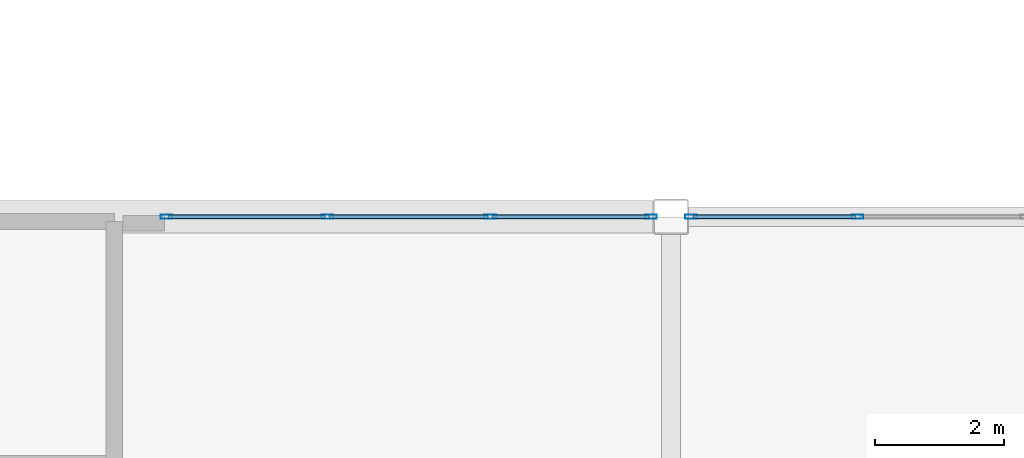
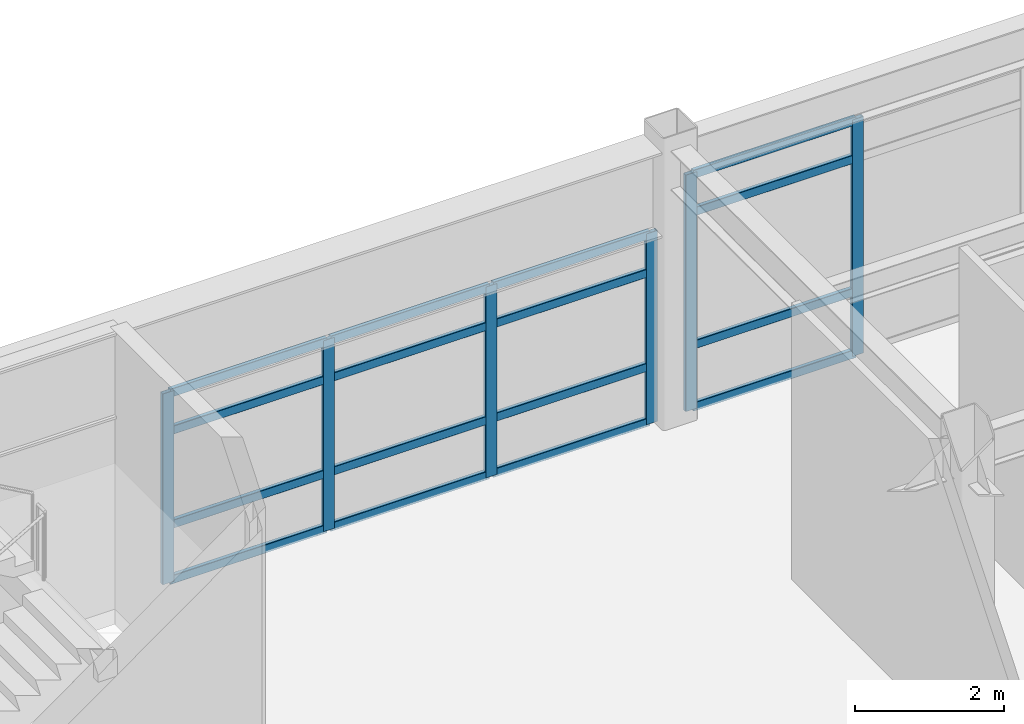
# One storey, part 54 of 154: 22 members, 2 elements without a shape of their own.
"""IFC4 building model written with IfcOpenShell, lengths in metres."""

import ifcopenshell
import ifcopenshell.guid

model = None  # the IFC model being written
_history = None  # IfcOwnerHistory: only IFC2X3 demands one
_inside = {}  # id of a spatial element -> (the spatial element, [elements in it])
_under = {}  # id of a project, library or spatial element -> (it, [spatial elements below it])
_declared = {}  # id of a project -> (the project, [libraries it declares])
_typed = {}  # id of a type object -> (the type object, [elements of that type])
_made_of = {}  # id of a material, layer set ... -> (it, [elements and type objects made of it])


def new_model(schema):
    """Start an empty IFC model of exactly this schema.

    Asked for "IFC4X3", IfcOpenShell would pick the latest addendum, in which some entities
    have other attributes; the version numbers below select the first issue.
    IFC2X3 requires an IfcOwnerHistory on every rooted entity: one is made here for all.
    """
    global model, _history
    if schema == "IFC4X3":
        model = ifcopenshell.file(schema_version=(4, 3, 0, 0))
    else:
        model = ifcopenshell.file(schema=schema)
    _inside.clear()
    _under.clear()
    _declared.clear()
    _typed.clear()
    _made_of.clear()
    _history = None
    if model.schema == "IFC2X3":
        org = make("IfcOrganization", Name="unknown")
        user = make(
            "IfcPersonAndOrganization",
            ThePerson=make("IfcPerson", FamilyName="unknown"),
            TheOrganization=org,
        )
        app = make(
            "IfcApplication",
            ApplicationDeveloper=org,
            Version="unknown",
            ApplicationFullName="unknown",
            ApplicationIdentifier="unknown",
        )
        _history = make(
            "IfcOwnerHistory",
            OwningUser=user,
            OwningApplication=app,
            ChangeAction="ADDED",
            CreationDate=0,
        )
    return model


def make(cls, **values):
    """One entity of the class cls with the attributes given. An attribute that is None is left unset."""
    return model.create_entity(
        cls, **{name: value for name, value in values.items() if value is not None}
    )


def rooted(cls, **values):
    """An entity with a GlobalId (a new one), such as an element, a storey or a relation."""
    return make(cls, GlobalId=ifcopenshell.guid.new(), OwnerHistory=_history, **values)


def si_unit(unit_type, name, prefix=None):
    """IfcSIUnit, for example si_unit("LENGTHUNIT", "METRE", prefix="MILLI")."""
    return make("IfcSIUnit", UnitType=unit_type, Prefix=prefix, Name=name)


def assignment(units):
    """IfcUnitAssignment: the units of a project."""
    return None if units is None else make("IfcUnitAssignment", Units=units)


def point(xyz):
    """IfcCartesianPoint."""
    return None if xyz is None else make("IfcCartesianPoint", Coordinates=xyz)


def direction(xyz):
    """IfcDirection."""
    return None if xyz is None else make("IfcDirection", DirectionRatios=xyz)


def frame(location, z_axis=None, x_axis=None):
    """IfcAxis2Placement3D, a coordinate frame: its origin and axes. An axis left out is left unset."""
    return make(
        "IfcAxis2Placement3D",
        Location=point(location),
        Axis=direction(z_axis),
        RefDirection=direction(x_axis),
    )


def frame_2d(location, x_axis=None):
    """IfcAxis2Placement2D, a coordinate frame in the plane: its origin and x axis."""
    return make(
        "IfcAxis2Placement2D", Location=point(location), RefDirection=direction(x_axis)
    )


def origin():
    """The frame at (0, 0, 0) with its axes left unset."""
    return frame((0.0, 0.0, 0.0))


def origin_2d():
    """The frame at (0, 0) in the plane with its x axis left unset."""
    return frame_2d((0.0, 0.0))


def place(relative_to, where):
    """IfcLocalPlacement: puts the frame where relative to a parent placement (None: the world)."""
    return make(
        "IfcLocalPlacement", PlacementRelTo=relative_to, RelativePlacement=where
    )


def context(
    kind, dimensions, precision=None, world=None, true_north=None, identifier=None
):
    """IfcGeometricRepresentationContext, for example the 3D "Model" context."""
    return make(
        "IfcGeometricRepresentationContext",
        ContextIdentifier=identifier,
        ContextType=kind,
        CoordinateSpaceDimension=dimensions,
        Precision=precision,
        WorldCoordinateSystem=world,
        TrueNorth=true_north,
    )


def subcontext(parent, identifier, kind, view, scale=None):
    """IfcGeometricRepresentationSubContext, for example "Body" below "Model"."""
    return make(
        "IfcGeometricRepresentationSubContext",
        ContextIdentifier=identifier,
        ContextType=kind,
        ParentContext=parent,
        TargetScale=scale,
        TargetView=view,
    )


def project(units=None, contexts=None):
    """IfcProject with its units and contexts."""
    return rooted(
        "IfcProject",
        Name="project",
        RepresentationContexts=contexts,
        UnitsInContext=assignment(units),
    )


def spatial(cls, under=None, at=None, **own):
    """A site, building, storey or space (cls), placed at a placement, below another one or the project."""
    s = rooted(cls, ObjectPlacement=at, **own)
    if under is not None:
        _under.setdefault(under.id(), (under, []))[1].append(s)
    return s


def profile(cls, at=None, kind="AREA", **sizes):
    """A parametric profile (cls). Its sizes go by their IFC names, for example OverallWidth=200.0."""
    return make(cls, ProfileType=kind, Position=at, **sizes)


def hollow_rectangle(**sizes):
    """IfcRectangleHollowProfileDef."""
    return profile("IfcRectangleHollowProfileDef", **sizes)


def extrude(swept, where, along, depth):
    """IfcExtrudedAreaSolid: the profile swept, set in the frame where, extruded along a direction by depth."""
    return make(
        "IfcExtrudedAreaSolid",
        SweptArea=swept,
        Position=where,
        ExtrudedDirection=direction(along),
        Depth=depth,
    )


def shape(context_of_items, identifier, shape_type, items):
    """IfcShapeRepresentation: the items that make up one representation, for example the "Body"."""
    return make(
        "IfcShapeRepresentation",
        ContextOfItems=context_of_items,
        RepresentationIdentifier=identifier,
        RepresentationType=shape_type,
        Items=items,
    )


def material(Name=None, Category=None):
    """IfcMaterial."""
    return make("IfcMaterial", Name=Name, Category=Category)


def layer(
    of_material, thickness, ventilated=None, Name=None, Category=None, Priority=None
):
    """IfcMaterialLayer: one layer of a wall or slab, of a material (None: an air gap)."""
    return make(
        "IfcMaterialLayer",
        Material=of_material,
        LayerThickness=thickness,
        IsVentilated=ventilated,
        Name=Name,
        Category=Category,
        Priority=Priority,
    )


def layer_set(layers, Name=None):
    """IfcMaterialLayerSet."""
    return make("IfcMaterialLayerSet", MaterialLayers=layers, LayerSetName=Name)


def material_profile(
    of_material, cross_section, Name=None, Category=None, Priority=None
):
    """IfcMaterialProfile: a cross section and its material."""
    return make(
        "IfcMaterialProfile",
        Name=Name,
        Material=of_material,
        Profile=cross_section,
        Priority=Priority,
        Category=Category,
    )


def profile_set(profiles, Name=None, composite=None):
    """IfcMaterialProfileSet."""
    return make(
        "IfcMaterialProfileSet",
        Name=Name,
        MaterialProfiles=profiles,
        CompositeProfile=composite,
    )


def made_of(thing, what):
    """Note that an element or type object is made of a material, layer set ...; save() writes the relation."""
    if what is not None:
        _made_of.setdefault(what.id(), (what, []))[1].append(thing)
    return thing


def type_object(cls, material=None, **own):
    """A type object (cls), such as IfcWallType, which elements share."""
    return made_of(rooted(cls, **own), material)


def element(
    cls,
    number,
    at=None,
    inside=None,
    cuts=None,
    type_object=None,
    material=None,
    context=None,
    identifier="Body",
    shape_type=None,
    held_by="IfcProductDefinitionShape",
    body=None,
    shapes=None,
    **own,
):
    """One element of the class cls, such as IfcWall. Its Tag is "e" and its number.

    at: its placement. inside: the storey or other place that contains it. cuts: it is an
    opening in that element (IfcRelVoidsElement). A single representation is given by context,
    identifier, shape_type and body (its items); several are given by shapes. held_by: the class
    of the entity that holds the representations. save() writes the other relations.
    """
    e = rooted(cls, Tag="e%d" % number, ObjectPlacement=at, **own)
    if body is not None:
        shapes = [shape(context, identifier, shape_type, body)]
    if shapes is not None:
        e.Representation = make(held_by, Representations=shapes)
    if inside is not None:
        _inside.setdefault(inside.id(), (inside, []))[1].append(e)
    if cuts is not None:
        rooted(
            "IfcRelVoidsElement", RelatingBuildingElement=cuts, RelatedOpeningElement=e
        )
    if type_object is not None:
        _typed.setdefault(type_object.id(), (type_object, []))[1].append(e)
    return made_of(e, material)


def aggregate(whole, parts):
    """IfcRelAggregates: a whole, such as a stair, and the parts it consists of."""
    return rooted("IfcRelAggregates", RelatingObject=whole, RelatedObjects=parts)


def save(model, path):
    """Write the relations noted so far, then the file.

    IfcRelAggregates (storeys below a building ...), IfcRelContainedInSpatialStructure (elements
    in a storey), IfcRelDefinesByType, IfcRelAssociatesMaterial and IfcRelDeclares: one each for
    every whole, place, type object, material and project.
    """
    for whole, parts in _under.values():
        aggregate(whole, parts)
    for where, things in _inside.values():
        rooted(
            "IfcRelContainedInSpatialStructure",
            RelatedElements=things,
            RelatingStructure=where,
        )
    for kind, things in _typed.values():
        rooted("IfcRelDefinesByType", RelatedObjects=things, RelatingType=kind)
    for what, things in _made_of.values():
        rooted("IfcRelAssociatesMaterial", RelatedObjects=things, RelatingMaterial=what)
    for by, libraries in _declared.values():
        rooted("IfcRelDeclares", RelatingContext=by, RelatedDefinitions=libraries)
    model.write(path)


model = new_model("IFC4")

# Units and contexts
model_context = context("Model", 3, precision=1e-05, world=origin(), true_north=direction((0.0, 1.0)))
body_context = subcontext(model_context, "Body", "Model", "MODEL_VIEW")
ifc_project = project(units=[si_unit("LENGTHUNIT", "METRE"), si_unit("AREAUNIT", "SQUARE_METRE"), si_unit("VOLUMEUNIT", "CUBIC_METRE"), si_unit("PLANEANGLEUNIT", "RADIAN"), si_unit("MASSUNIT", "GRAM", prefix="KILO")], contexts=[model_context])

# Site, building, storey
site_placement = place(None, origin())
site = spatial("IfcSite", under=ifc_project, at=site_placement, CompositionType="ELEMENT")
building_placement = place(site_placement, origin())
building = spatial("IfcBuilding", under=site, at=building_placement, Name="Kazehara Bluff Congress Hotel", CompositionType="ELEMENT")
storey_placement = place(building_placement, frame((0.0, 0.0, 10.199951171875)))
storey = spatial("IfcBuildingStorey", under=building, at=storey_placement, Name="L02", CompositionType="ELEMENT", Elevation=10.199951171875)

# Curtain wall, members
ifc_material_1 = material(Name="Anodised aluminium", Category="aluminium")
ifc_layer_1 = layer(ifc_material_1, 0.159912109375)
ifc_layer_set_1 = layer_set([ifc_layer_1], Name="Anodised aluminium")
curtain_wall_type_1 = type_object("IfcCurtainWallType", Name="TP-CW-73", PredefinedType="NOTDEFINED", material=ifc_layer_set_1)
curtain_wall_1_placement = place(storey_placement, origin())
curtain_wall_1 = element("IfcCurtainWall", 1, at=curtain_wall_1_placement, inside=storey, type_object=curtain_wall_type_1, Name="L02 curtain wall CW-73 CW-V4-L02-Y5645-8500", PredefinedType="NOTDEFINED")
ifc_material_2 = material(Name="Anodised aluminium", Category="aluminium")
ifc_material_profile_1 = material_profile(ifc_material_2, hollow_rectangle(XDim=0.06494140625, YDim=0.179931640625, WallThickness=0.00390625, InnerFilletRadius=0.00390625, OuterFilletRadius=0.008056640625, at=origin_2d()))
ifc_profile_set_1 = profile_set([ifc_material_profile_1], Name="Anodised aluminium")
member_type_1 = type_object("IfcMemberType", Name="TP-CWM-02", PredefinedType="MULLION", material=ifc_profile_set_1)
member_1_placement = place(storey_placement, frame((85.032470703125, 56.449951171875, 0.0), z_axis=(0.0, 0.0, 1.0), x_axis=(0.0, 1.0, 0.0)))
member_1 = element("IfcMember", 2, at=member_1_placement, type_object=member_type_1, Name="CW-73 mullion 1", PredefinedType="MULLION", context=body_context, shape_type="SweptSolid", body=[
    extrude(hollow_rectangle(XDim=0.06494140625, YDim=0.179931640625, WallThickness=0.00390625, InnerFilletRadius=0.00390625, OuterFilletRadius=0.008056640625, at=origin_2d()), origin(), (0.0, 0.0, 1.0), 3.135009765625),
])
member_2_placement = place(storey_placement, frame((87.52490234375, 56.449951171875, 0.0), z_axis=(0.0, 0.0, 1.0), x_axis=(0.0, 1.0, 0.0)))
member_2 = element("IfcMember", 3, at=member_2_placement, type_object=member_type_1, Name="CW-73 mullion 2", PredefinedType="MULLION", context=body_context, shape_type="SweptSolid", body=[
    extrude(hollow_rectangle(XDim=0.06494140625, YDim=0.179931640625, WallThickness=0.00390625, InnerFilletRadius=0.00390625, OuterFilletRadius=0.008056640625, at=origin_2d()), origin(), (0.0, 0.0, 1.0), 3.135009765625),
])
member_3_placement = place(storey_placement, frame((90.050048828125, 56.449951171875, 0.0), z_axis=(0.0, 0.0, 1.0), x_axis=(0.0, 1.0, 0.0)))
member_3 = element("IfcMember", 4, at=member_3_placement, type_object=member_type_1, Name="CW-73 mullion 3", PredefinedType="MULLION", context=body_context, shape_type="SweptSolid", body=[
    extrude(hollow_rectangle(XDim=0.06494140625, YDim=0.179931640625, WallThickness=0.00390625, InnerFilletRadius=0.00390625, OuterFilletRadius=0.008056640625, at=origin_2d()), origin(), (0.0, 0.0, 1.0), 3.135009765625),
])
member_4_placement = place(storey_placement, frame((92.54248046875, 56.449951171875, 0.0), z_axis=(0.0, 0.0, 1.0), x_axis=(0.0, 1.0, 0.0)))
member_4 = element("IfcMember", 5, at=member_4_placement, type_object=member_type_1, Name="CW-73 mullion 4", PredefinedType="MULLION", context=body_context, shape_type="SweptSolid", body=[
    extrude(hollow_rectangle(XDim=0.06494140625, YDim=0.179931640625, WallThickness=0.00390625, InnerFilletRadius=0.00390625, OuterFilletRadius=0.008056640625, at=origin_2d()), origin(), (0.0, 0.0, 1.0), 3.135009765625),
])

ifc_material_3 = material(Name="Anodised aluminium", Category="aluminium")
ifc_layer_2 = layer(ifc_material_3, 0.159912109375)
ifc_layer_set_2 = layer_set([ifc_layer_2], Name="Anodised aluminium")
curtain_wall_type_2 = type_object("IfcCurtainWallType", Name="TP-CW-74", PredefinedType="NOTDEFINED", material=ifc_layer_set_2)
curtain_wall_2_placement = place(storey_placement, origin())
curtain_wall_2 = element("IfcCurtainWall", 6, at=curtain_wall_2_placement, inside=storey, type_object=curtain_wall_type_2, Name="L02 curtain wall CW-74 CW-V4-L02-Y5645-9312", PredefinedType="NOTDEFINED")
member_5_placement = place(storey_placement, frame((93.157470703125, 56.449951171875, 0.0), z_axis=(0.0, 0.0, 1.0), x_axis=(0.0, 1.0, 0.0)))
member_5 = element("IfcMember", 7, at=member_5_placement, type_object=member_type_1, Name="CW-74 mullion 1", PredefinedType="MULLION", context=body_context, shape_type="SweptSolid", body=[
    extrude(hollow_rectangle(XDim=0.06494140625, YDim=0.179931640625, WallThickness=0.00390625, InnerFilletRadius=0.00390625, OuterFilletRadius=0.008056640625, at=origin_2d()), origin(), (0.0, 0.0, 1.0), 3.885009765625),
])
member_6_placement = place(storey_placement, frame((95.74169921875, 56.449951171875, 0.0), z_axis=(0.0, 0.0, 1.0), x_axis=(0.0, 1.0, 0.0)))
member_6 = element("IfcMember", 8, at=member_6_placement, type_object=member_type_1, Name="CW-74 mullion 2", PredefinedType="MULLION", context=body_context, shape_type="SweptSolid", body=[
    extrude(hollow_rectangle(XDim=0.06494140625, YDim=0.179931640625, WallThickness=0.00390625, InnerFilletRadius=0.00390625, OuterFilletRadius=0.008056640625, at=origin_2d()), origin(), (0.0, 0.0, 1.0), 3.885009765625),
])

# Member
ifc_material_4 = material(Name="Anodised aluminium", Category="aluminium")
ifc_material_profile_2 = material_profile(ifc_material_4, hollow_rectangle(XDim=0.06494140625, YDim=0.139892578125, WallThickness=0.00390625, InnerFilletRadius=0.00390625, OuterFilletRadius=0.008056640625, at=origin_2d()))
ifc_profile_set_2 = profile_set([ifc_material_profile_2], Name="Anodised aluminium")
member_type_2 = type_object("IfcMemberType", Name="TP-CWT-02", PredefinedType="USERDEFINED", material=ifc_profile_set_2)
member_7_placement = place(storey_placement, frame((85.06494140625, 56.449951171875, 0.032470703125), z_axis=(1.0, 0.0, 0.0), x_axis=(0.0, 1.0, 0.0)))
member_7 = element("IfcMember", 9, at=member_7_placement, type_object=member_type_2, Name="CW-73 transom 1.1", ObjectType="TRANSOM", PredefinedType="USERDEFINED", context=body_context, shape_type="SweptSolid", body=[
    extrude(hollow_rectangle(XDim=0.06494140625, YDim=0.139892578125, WallThickness=0.00390625, InnerFilletRadius=0.00390625, OuterFilletRadius=0.008056640625, at=origin_2d()), origin(), (0.0, 0.0, 1.0), 2.427490234375),
])

member_8_placement = place(storey_placement, frame((85.06494140625, 56.449951171875, 0.93994140625), z_axis=(1.0, 0.0, 0.0), x_axis=(0.0, 1.0, 0.0)))
member_8 = element("IfcMember", 10, at=member_8_placement, type_object=member_type_2, Name="CW-73 transom 1.2", ObjectType="TRANSOM", PredefinedType="USERDEFINED", context=body_context, shape_type="SweptSolid", body=[
    extrude(hollow_rectangle(XDim=0.06494140625, YDim=0.139892578125, WallThickness=0.00390625, InnerFilletRadius=0.00390625, OuterFilletRadius=0.008056640625, at=origin_2d()), origin(), (0.0, 0.0, 1.0), 2.427490234375),
])

member_9_placement = place(storey_placement, frame((85.06494140625, 56.449951171875, 2.485107421875), z_axis=(1.0, 0.0, 0.0), x_axis=(0.0, 1.0, 0.0)))
member_9 = element("IfcMember", 11, at=member_9_placement, type_object=member_type_2, Name="CW-73 transom 1.3", ObjectType="TRANSOM", PredefinedType="USERDEFINED", context=body_context, shape_type="SweptSolid", body=[
    extrude(hollow_rectangle(XDim=0.06494140625, YDim=0.139892578125, WallThickness=0.00390625, InnerFilletRadius=0.00390625, OuterFilletRadius=0.008056640625, at=origin_2d()), origin(), (0.0, 0.0, 1.0), 2.427490234375),
])

member_10_placement = place(storey_placement, frame((85.06494140625, 56.449951171875, 3.1025390625), z_axis=(1.0, 0.0, 0.0), x_axis=(0.0, 1.0, 0.0)))
member_10 = element("IfcMember", 12, at=member_10_placement, type_object=member_type_2, Name="CW-73 transom 1.4", ObjectType="TRANSOM", PredefinedType="USERDEFINED", context=body_context, shape_type="SweptSolid", body=[
    extrude(hollow_rectangle(XDim=0.06494140625, YDim=0.139892578125, WallThickness=0.00390625, InnerFilletRadius=0.00390625, OuterFilletRadius=0.008056640625, at=origin_2d()), origin(), (0.0, 0.0, 1.0), 2.427490234375),
])

member_11_placement = place(storey_placement, frame((87.5576171875, 56.449951171875, 0.032470703125), z_axis=(1.0, 0.0, 0.0), x_axis=(0.0, 1.0, 0.0)))
member_11 = element("IfcMember", 13, at=member_11_placement, type_object=member_type_2, Name="CW-73 transom 2.1", ObjectType="TRANSOM", PredefinedType="USERDEFINED", context=body_context, shape_type="SweptSolid", body=[
    extrude(hollow_rectangle(XDim=0.06494140625, YDim=0.139892578125, WallThickness=0.00390625, InnerFilletRadius=0.00390625, OuterFilletRadius=0.008056640625, at=origin_2d()), origin(), (0.0, 0.0, 1.0), 2.4599609375),
])

member_12_placement = place(storey_placement, frame((87.5576171875, 56.449951171875, 0.93994140625), z_axis=(1.0, 0.0, 0.0), x_axis=(0.0, 1.0, 0.0)))
member_12 = element("IfcMember", 14, at=member_12_placement, type_object=member_type_2, Name="CW-73 transom 2.2", ObjectType="TRANSOM", PredefinedType="USERDEFINED", context=body_context, shape_type="SweptSolid", body=[
    extrude(hollow_rectangle(XDim=0.06494140625, YDim=0.139892578125, WallThickness=0.00390625, InnerFilletRadius=0.00390625, OuterFilletRadius=0.008056640625, at=origin_2d()), origin(), (0.0, 0.0, 1.0), 2.4599609375),
])

member_13_placement = place(storey_placement, frame((87.5576171875, 56.449951171875, 2.485107421875), z_axis=(1.0, 0.0, 0.0), x_axis=(0.0, 1.0, 0.0)))
member_13 = element("IfcMember", 15, at=member_13_placement, type_object=member_type_2, Name="CW-73 transom 2.3", ObjectType="TRANSOM", PredefinedType="USERDEFINED", context=body_context, shape_type="SweptSolid", body=[
    extrude(hollow_rectangle(XDim=0.06494140625, YDim=0.139892578125, WallThickness=0.00390625, InnerFilletRadius=0.00390625, OuterFilletRadius=0.008056640625, at=origin_2d()), origin(), (0.0, 0.0, 1.0), 2.4599609375),
])

member_14_placement = place(storey_placement, frame((87.5576171875, 56.449951171875, 3.1025390625), z_axis=(1.0, 0.0, 0.0), x_axis=(0.0, 1.0, 0.0)))
member_14 = element("IfcMember", 16, at=member_14_placement, type_object=member_type_2, Name="CW-73 transom 2.4", ObjectType="TRANSOM", PredefinedType="USERDEFINED", context=body_context, shape_type="SweptSolid", body=[
    extrude(hollow_rectangle(XDim=0.06494140625, YDim=0.139892578125, WallThickness=0.00390625, InnerFilletRadius=0.00390625, OuterFilletRadius=0.008056640625, at=origin_2d()), origin(), (0.0, 0.0, 1.0), 2.4599609375),
])

member_15_placement = place(storey_placement, frame((90.08251953125, 56.449951171875, 0.032470703125), z_axis=(1.0, 0.0, 0.0), x_axis=(0.0, 1.0, 0.0)))
member_15 = element("IfcMember", 17, at=member_15_placement, type_object=member_type_2, Name="CW-73 transom 3.1", ObjectType="TRANSOM", PredefinedType="USERDEFINED", context=body_context, shape_type="SweptSolid", body=[
    extrude(hollow_rectangle(XDim=0.06494140625, YDim=0.139892578125, WallThickness=0.00390625, InnerFilletRadius=0.00390625, OuterFilletRadius=0.008056640625, at=origin_2d()), origin(), (0.0, 0.0, 1.0), 2.427490234375),
])

member_16_placement = place(storey_placement, frame((90.08251953125, 56.449951171875, 0.93994140625), z_axis=(1.0, 0.0, 0.0), x_axis=(0.0, 1.0, 0.0)))
member_16 = element("IfcMember", 18, at=member_16_placement, type_object=member_type_2, Name="CW-73 transom 3.2", ObjectType="TRANSOM", PredefinedType="USERDEFINED", context=body_context, shape_type="SweptSolid", body=[
    extrude(hollow_rectangle(XDim=0.06494140625, YDim=0.139892578125, WallThickness=0.00390625, InnerFilletRadius=0.00390625, OuterFilletRadius=0.008056640625, at=origin_2d()), origin(), (0.0, 0.0, 1.0), 2.427490234375),
])

member_17_placement = place(storey_placement, frame((90.08251953125, 56.449951171875, 2.485107421875), z_axis=(1.0, 0.0, 0.0), x_axis=(0.0, 1.0, 0.0)))
member_17 = element("IfcMember", 19, at=member_17_placement, type_object=member_type_2, Name="CW-73 transom 3.3", ObjectType="TRANSOM", PredefinedType="USERDEFINED", context=body_context, shape_type="SweptSolid", body=[
    extrude(hollow_rectangle(XDim=0.06494140625, YDim=0.139892578125, WallThickness=0.00390625, InnerFilletRadius=0.00390625, OuterFilletRadius=0.008056640625, at=origin_2d()), origin(), (0.0, 0.0, 1.0), 2.427490234375),
])

member_18_placement = place(storey_placement, frame((90.08251953125, 56.449951171875, 3.1025390625), z_axis=(1.0, 0.0, 0.0), x_axis=(0.0, 1.0, 0.0)))
member_18 = element("IfcMember", 20, at=member_18_placement, type_object=member_type_2, Name="CW-73 transom 3.4", ObjectType="TRANSOM", PredefinedType="USERDEFINED", context=body_context, shape_type="SweptSolid", body=[
    extrude(hollow_rectangle(XDim=0.06494140625, YDim=0.139892578125, WallThickness=0.00390625, InnerFilletRadius=0.00390625, OuterFilletRadius=0.008056640625, at=origin_2d()), origin(), (0.0, 0.0, 1.0), 2.427490234375),
])

aggregate(curtain_wall_1, [member_1, member_2, member_3, member_4, member_7, member_8, member_9, member_10, member_11, member_12, member_13, member_14, member_15, member_16, member_17, member_18])

member_19_placement = place(storey_placement, frame((93.18994140625, 56.449951171875, 0.032470703125), z_axis=(1.0, 0.0, 0.0), x_axis=(0.0, 1.0, 0.0)))
member_19 = element("IfcMember", 21, at=member_19_placement, type_object=member_type_2, Name="CW-74 transom 1.1", ObjectType="TRANSOM", PredefinedType="USERDEFINED", context=body_context, shape_type="SweptSolid", body=[
    extrude(hollow_rectangle(XDim=0.06494140625, YDim=0.139892578125, WallThickness=0.00390625, InnerFilletRadius=0.00390625, OuterFilletRadius=0.008056640625, at=origin_2d()), origin(), (0.0, 0.0, 1.0), 2.519287109375),
])

member_20_placement = place(storey_placement, frame((93.18994140625, 56.449951171875, 1.050048828125), z_axis=(1.0, 0.0, 0.0), x_axis=(0.0, 1.0, 0.0)))
member_20 = element("IfcMember", 22, at=member_20_placement, type_object=member_type_2, Name="CW-74 transom 1.2", ObjectType="TRANSOM", PredefinedType="USERDEFINED", context=body_context, shape_type="SweptSolid", body=[
    extrude(hollow_rectangle(XDim=0.06494140625, YDim=0.139892578125, WallThickness=0.00390625, InnerFilletRadius=0.00390625, OuterFilletRadius=0.008056640625, at=origin_2d()), origin(), (0.0, 0.0, 1.0), 2.519287109375),
])

member_21_placement = place(storey_placement, frame((93.18994140625, 56.449951171875, 3.235107421875), z_axis=(1.0, 0.0, 0.0), x_axis=(0.0, 1.0, 0.0)))
member_21 = element("IfcMember", 23, at=member_21_placement, type_object=member_type_2, Name="CW-74 transom 1.3", ObjectType="TRANSOM", PredefinedType="USERDEFINED", context=body_context, shape_type="SweptSolid", body=[
    extrude(hollow_rectangle(XDim=0.06494140625, YDim=0.139892578125, WallThickness=0.00390625, InnerFilletRadius=0.00390625, OuterFilletRadius=0.008056640625, at=origin_2d()), origin(), (0.0, 0.0, 1.0), 2.519287109375),
])

member_22_placement = place(storey_placement, frame((93.18994140625, 56.449951171875, 3.8525390625), z_axis=(1.0, 0.0, 0.0), x_axis=(0.0, 1.0, 0.0)))
member_22 = element("IfcMember", 24, at=member_22_placement, type_object=member_type_2, Name="CW-74 transom 1.4", ObjectType="TRANSOM", PredefinedType="USERDEFINED", context=body_context, shape_type="SweptSolid", body=[
    extrude(hollow_rectangle(XDim=0.06494140625, YDim=0.139892578125, WallThickness=0.00390625, InnerFilletRadius=0.00390625, OuterFilletRadius=0.008056640625, at=origin_2d()), origin(), (0.0, 0.0, 1.0), 2.519287109375),
])

aggregate(curtain_wall_2, [member_5, member_6, member_19, member_20, member_21, member_22])

save(model, "model.ifc")
